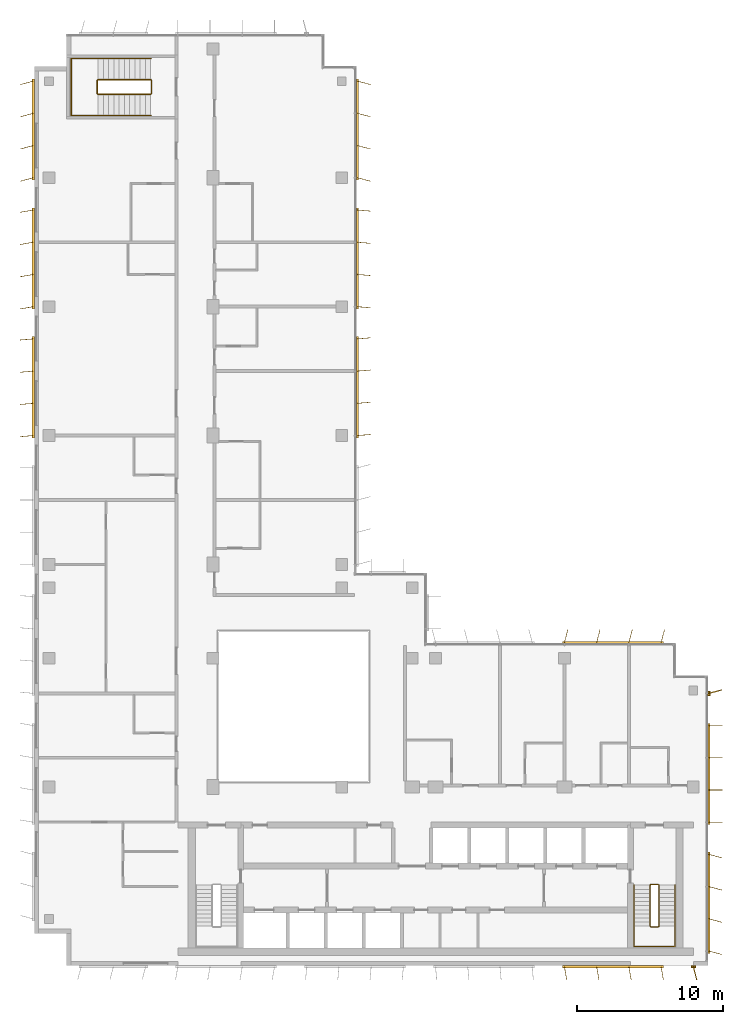
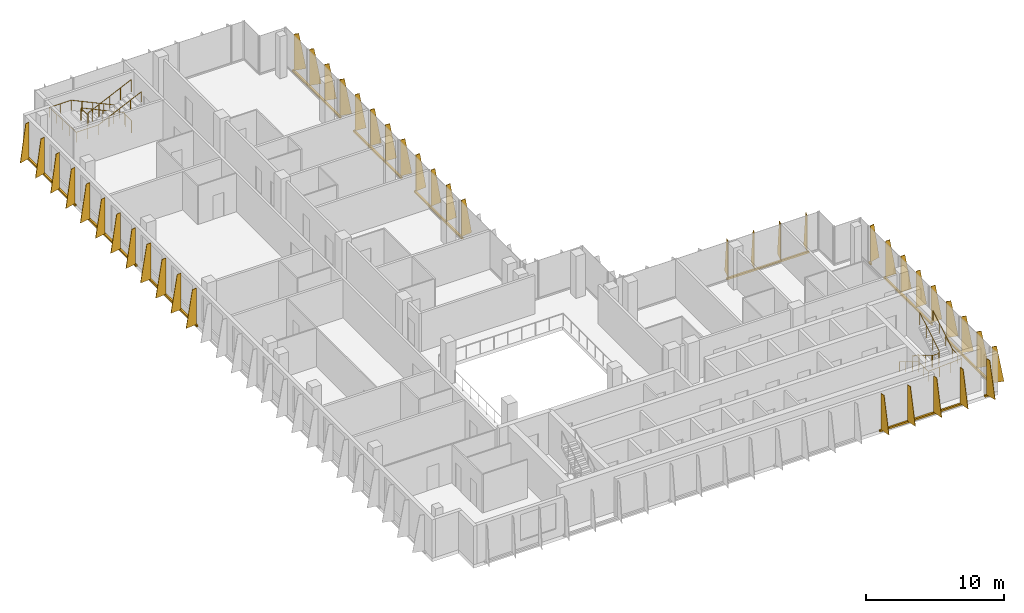
# One storey, part 14 of 15: 12 shading devices, 4 railings.
"""IFC4 building model written with IfcOpenShell, lengths in metres."""

from ifc_helpers import new_model, si_unit, direction, frame, origin, origin_2d, place, context, subcontext, project, spatial, polyline, rectangle, circle, outline, extrude, source, transform, mapped, material, layer, layer_set, type_object, element, save


model = new_model("IFC4")

# Units and contexts
model_context = context("Model", 3, precision=1e-05, world=origin(), true_north=direction((0.0, 1.0)))
body_context = subcontext(model_context, "Body", "Model", "MODEL_VIEW")
ifc_project = project(units=[si_unit("LENGTHUNIT", "METRE"), si_unit("AREAUNIT", "SQUARE_METRE"), si_unit("VOLUMEUNIT", "CUBIC_METRE"), si_unit("PLANEANGLEUNIT", "RADIAN"), si_unit("MASSUNIT", "GRAM", prefix="KILO")], contexts=[model_context])

# Site, building, storey
site_placement = place(None, origin())
site = spatial("IfcSite", under=ifc_project, at=site_placement, CompositionType="ELEMENT")
building_placement = place(site_placement, origin())
building = spatial("IfcBuilding", under=site, at=building_placement, Name="Kemantara Hotel Tower", CompositionType="ELEMENT")
storey_placement = place(building_placement, frame((0.0, 0.0, 275.89990234375)))
storey = spatial("IfcBuildingStorey", under=building, at=storey_placement, Name="L69", CompositionType="ELEMENT", Elevation=275.89990234375)

# Railings
ifc_material_1 = material(Name="Stainless steel balustrade", Category="steel")
railing_type_1 = type_object("IfcRailingType", Name="Stair guard 1100 mm", PredefinedType="GUARDRAIL", material=ifc_material_1)
railing_1_placement = place(storey_placement, frame((42.64990234375, 5.5, 3.7001953125)))
element("IfcRailing", 1, at=railing_1_placement, inside=storey, type_object=railing_type_1, Name="L69 ST2 stair guard 1", PredefinedType="GUARDRAIL", context=body_context, shape_type="SweptSolid", body=[
    extrude(circle(Radius=0.02392578125, at=origin_2d()), frame((0.0, 0.0, 1.076171875), z_axis=(0.0, -0.857242210791, -0.514913383045), x_axis=(1.0, 0.0, 0.0)), (0.0, 0.0, 1.0), 3.266357421875),
    extrude(circle(Radius=0.02392578125, at=origin_2d()), frame((0.0, -2.800048828125, -0.60595703125), z_axis=(-0.273006030465, -0.27434429532, -0.922064485248), x_axis=(0.708833529934, -0.705375805398, 0.0)), (0.0, 0.0, 1.0), 0.182373046875),
    extrude(circle(Radius=0.02392578125, at=origin_2d()), frame((-0.0498046875, -2.85009765625, -0.77392578125), z_axis=(-1.0, 0.0, 0.0), x_axis=(0.0, -1.0, 0.0)), (0.0, 0.0, 1.0), 0.5),
    extrude(circle(Radius=0.02392578125, at=origin_2d()), frame((-0.5498046875, -2.85009765625, -0.77392578125), z_axis=(-0.707106781187, 0.707106781187, 0.0), x_axis=(-0.707106781187, -0.707106781187, 0.0)), (0.0, 0.0, 1.0), 0.07080078125),
    extrude(circle(Radius=0.02392578125, at=origin_2d()), frame((-0.599853515625, -2.800048828125, -0.77392578125), z_axis=(0.0, 0.857242210791, -0.514913383045), x_axis=(-1.0, 0.0, 0.0)), (0.0, 0.0, 1.0), 3.266357421875),
    extrude(circle(Radius=0.02392578125, at=origin_2d()), frame((-0.599853515625, 0.0, -2.4560546875), z_axis=(0.274243871929, 0.274243871929, -0.92172696468), x_axis=(-0.707106781187, 0.707106781187, 0.0)), (0.0, 0.0, 1.0), 0.1826171875),
    extrude(circle(Radius=0.02392578125, at=origin_2d()), frame((-0.5498046875, 0.050048828125, -2.6240234375), z_axis=(1.0, 0.0, 0.0), x_axis=(0.0, 1.0, 0.0)), (0.0, 0.0, 1.0), 0.5),
    extrude(circle(Radius=0.02099609375, at=origin_2d()), origin(), (0.0, 0.0, 1.0), 1.052001953125),
    extrude(circle(Radius=0.02099609375, at=origin_2d()), frame((0.0, -0.933349609375, -0.560546875)), (0.0, 0.0, 1.0), 1.052001953125),
    extrude(circle(Radius=0.02099609375, at=origin_2d()), frame((0.0, -1.86669921875, -1.121337890625)), (0.0, 0.0, 1.0), 1.052001953125),
    extrude(circle(Radius=0.02099609375, at=origin_2d()), frame((0.0, -2.800048828125, -1.681884765625)), (0.0, 0.0, 1.0), 1.052001953125),
    extrude(circle(Radius=0.02099609375, at=origin_2d()), frame((-0.0498046875, -2.85009765625, -1.85009765625)), (0.0, 0.0, 1.0), 1.052001953125),
    extrude(circle(Radius=0.02099609375, at=origin_2d()), frame((-0.5498046875, -2.85009765625, -1.85009765625)), (0.0, 0.0, 1.0), 1.052001953125),
    extrude(circle(Radius=0.02099609375, at=origin_2d()), frame((-0.599853515625, -2.800048828125, -1.85009765625)), (0.0, 0.0, 1.0), 1.052001953125),
    extrude(circle(Radius=0.02099609375, at=origin_2d()), frame((-0.599853515625, -1.86669921875, -2.41064453125)), (0.0, 0.0, 1.0), 1.052001953125),
    extrude(circle(Radius=0.02099609375, at=origin_2d()), frame((-0.599853515625, -0.933349609375, -2.971435546875)), (0.0, 0.0, 1.0), 1.052001953125),
    extrude(circle(Radius=0.02099609375, at=origin_2d()), frame((-0.599853515625, 0.0, -3.531982421875)), (0.0, 0.0, 1.0), 1.052001953125),
    extrude(circle(Radius=0.02099609375, at=origin_2d()), frame((-0.5498046875, 0.050048828125, -3.7001953125)), (0.0, 0.0, 1.0), 1.052001953125),
    extrude(circle(Radius=0.02099609375, at=origin_2d()), frame((-0.0498046875, 0.050048828125, -3.7001953125)), (0.0, 0.0, 1.0), 1.052001953125),
])
railing_2_placement = place(storey_placement, frame((7.949951171875, 59.5, 3.7001953125)))
element("IfcRailing", 2, at=railing_2_placement, inside=storey, type_object=railing_type_1, Name="L69 ST4 stair guard 1", PredefinedType="GUARDRAIL", context=body_context, shape_type="SweptSolid", body=[
    extrude(circle(Radius=0.02392578125, at=origin_2d()), frame((0.0, 0.0, 1.076171875), z_axis=(-0.905994681025, 0.0, -0.423289071386), x_axis=(0.0, -1.0, 0.0)), (0.0, 0.0, 1.0), 3.973388671875),
    extrude(circle(Radius=0.02392578125, at=origin_2d()), frame((-3.599853515625, 0.0, -0.60595703125), z_axis=(-0.274243871929, 0.274243871929, -0.92172696468), x_axis=(-0.707106781187, -0.707106781187, 0.0)), (0.0, 0.0, 1.0), 0.1826171875),
    extrude(circle(Radius=0.02392578125, at=origin_2d()), frame((-3.64990234375, 0.050048828125, -0.77392578125), z_axis=(0.0, 1.0, 0.0), x_axis=(-1.0, 0.0, 0.0)), (0.0, 0.0, 1.0), 0.89990234375),
    extrude(circle(Radius=0.02392578125, at=origin_2d()), frame((-3.64990234375, 0.949951171875, -0.77392578125), z_axis=(0.707106781187, 0.707106781187, 0.0), x_axis=(-0.707106781187, 0.707106781187, 0.0)), (0.0, 0.0, 1.0), 0.07080078125),
    extrude(circle(Radius=0.02392578125, at=origin_2d()), frame((-3.599853515625, 1.0, -0.77392578125), z_axis=(0.905994681025, 0.0, -0.423289071386), x_axis=(0.0, 1.0, 0.0)), (0.0, 0.0, 1.0), 3.973388671875),
    extrude(circle(Radius=0.02392578125, at=origin_2d()), frame((0.0, 1.0, -2.4560546875), z_axis=(0.274243871929, -0.274243871929, -0.92172696468), x_axis=(0.707106781187, 0.707106781187, 0.0)), (0.0, 0.0, 1.0), 0.1826171875),
    extrude(circle(Radius=0.02392578125, at=origin_2d()), frame((0.050048828125, 0.949951171875, -2.6240234375), z_axis=(0.0, -1.0, 0.0), x_axis=(1.0, 0.0, 0.0)), (0.0, 0.0, 1.0), 0.89990234375),
    extrude(circle(Radius=0.02099609375, at=origin_2d()), origin(), (0.0, 0.0, 1.0), 1.052001953125),
    extrude(circle(Radius=0.02099609375, at=origin_2d()), frame((-0.89990234375, 0.0, -0.42041015625)), (0.0, 0.0, 1.0), 1.052001953125),
    extrude(circle(Radius=0.02099609375, at=origin_2d()), frame((-1.7998046875, 0.0, -0.8408203125)), (0.0, 0.0, 1.0), 1.052001953125),
    extrude(circle(Radius=0.02099609375, at=origin_2d()), frame((-2.699951171875, 0.0, -1.261474609375)), (0.0, 0.0, 1.0), 1.052001953125),
    extrude(circle(Radius=0.02099609375, at=origin_2d()), frame((-3.599853515625, 0.0, -1.681884765625)), (0.0, 0.0, 1.0), 1.052001953125),
    extrude(circle(Radius=0.02099609375, at=origin_2d()), frame((-3.64990234375, 0.050048828125, -1.85009765625)), (0.0, 0.0, 1.0), 1.052001953125),
    extrude(circle(Radius=0.02099609375, at=origin_2d()), frame((-3.64990234375, 0.949951171875, -1.85009765625)), (0.0, 0.0, 1.0), 1.052001953125),
    extrude(circle(Radius=0.02099609375, at=origin_2d()), frame((-3.599853515625, 1.0, -1.85009765625)), (0.0, 0.0, 1.0), 1.052001953125),
    extrude(circle(Radius=0.02099609375, at=origin_2d()), frame((-2.699951171875, 1.0, -2.2705078125)), (0.0, 0.0, 1.0), 1.052001953125),
    extrude(circle(Radius=0.02099609375, at=origin_2d()), frame((-1.7998046875, 1.0, -2.69091796875)), (0.0, 0.0, 1.0), 1.052001953125),
    extrude(circle(Radius=0.02099609375, at=origin_2d()), frame((-0.89990234375, 1.0, -3.111572265625)), (0.0, 0.0, 1.0), 1.052001953125),
    extrude(circle(Radius=0.02099609375, at=origin_2d()), frame((0.0, 1.0, -3.531982421875)), (0.0, 0.0, 1.0), 1.052001953125),
    extrude(circle(Radius=0.02099609375, at=origin_2d()), frame((0.050048828125, 0.949951171875, -3.7001953125)), (0.0, 0.0, 1.0), 1.052001953125),
    extrude(circle(Radius=0.02099609375, at=origin_2d()), frame((0.050048828125, 0.050048828125, -3.7001953125)), (0.0, 0.0, 1.0), 1.052001953125),
])
railing_type_2 = type_object("IfcRailingType", Name="Stair handrail 900 mm", PredefinedType="HANDRAIL", material=ifc_material_1)
railing_3_placement = place(storey_placement, frame((40.949951171875, 5.5, 0.168212890625)))
element("IfcRailing", 3, at=railing_3_placement, inside=storey, type_object=railing_type_2, Name="L69 ST2 stair handrail 1", PredefinedType="HANDRAIL", context=body_context, shape_type="SweptSolid", body=[
    extrude(circle(Radius=0.02392578125, at=origin_2d()), frame((0.0, 0.0, 0.8759765625), z_axis=(0.0, -0.857242210791, 0.514913383045), x_axis=(1.0, 0.0, 0.0)), (0.0, 0.0, 1.0), 3.266357421875),
    extrude(circle(Radius=0.02392578125, at=origin_2d()), frame((0.0, -2.800048828125, 2.5576171875), z_axis=(0.0, -1.0, 0.0), x_axis=(1.0, 0.0, 0.0)), (0.0, 0.0, 1.0), 1.3798828125),
    extrude(circle(Radius=0.02392578125, at=origin_2d()), frame((0.0, -4.179931640625, 2.5576171875), z_axis=(0.998200367801, 0.0, 0.059966871865), x_axis=(0.0, 1.0, 0.0)), (0.0, 0.0, 1.0), 2.80517578125),
    extrude(circle(Radius=0.02392578125, at=origin_2d()), frame((2.800048828125, -4.179931640625, 2.72607421875), z_axis=(0.0, 1.0, 0.0), x_axis=(-1.0, 0.0, 0.0)), (0.0, 0.0, 1.0), 1.3798828125),
    extrude(circle(Radius=0.02392578125, at=origin_2d()), frame((2.800048828125, -2.800048828125, 2.72607421875), z_axis=(0.0, 0.857242210791, 0.514913383045), x_axis=(-1.0, 0.0, 0.0)), (0.0, 0.0, 1.0), 3.266357421875),
    extrude(circle(Radius=0.02099609375, at=origin_2d()), origin(), (0.0, 0.0, 1.0), 0.851806640625),
    extrude(circle(Radius=0.02099609375, at=origin_2d()), frame((0.0, -0.933349609375, 0.560546875)), (0.0, 0.0, 1.0), 0.851806640625),
    extrude(circle(Radius=0.02099609375, at=origin_2d()), frame((0.0, -1.86669921875, 1.121337890625)), (0.0, 0.0, 1.0), 0.851806640625),
    extrude(circle(Radius=0.02099609375, at=origin_2d()), frame((0.0, -2.800048828125, 1.681884765625)), (0.0, 0.0, 1.0), 0.851806640625),
    extrude(circle(Radius=0.02099609375, at=origin_2d()), frame((0.0, -3.489990234375, 1.681884765625)), (0.0, 0.0, 1.0), 0.851806640625),
    extrude(circle(Radius=0.02099609375, at=origin_2d()), frame((0.0, -4.179931640625, 1.681884765625)), (0.0, 0.0, 1.0), 0.851806640625),
    extrude(circle(Radius=0.02099609375, at=origin_2d()), frame((0.933349609375, -4.179931640625, 1.738037109375)), (0.0, 0.0, 1.0), 0.851806640625),
    extrude(circle(Radius=0.02099609375, at=origin_2d()), frame((1.86669921875, -4.179931640625, 1.7939453125)), (0.0, 0.0, 1.0), 0.851806640625),
    extrude(circle(Radius=0.02099609375, at=origin_2d()), frame((2.800048828125, -4.179931640625, 1.85009765625)), (0.0, 0.0, 1.0), 0.851806640625),
    extrude(circle(Radius=0.02099609375, at=origin_2d()), frame((2.800048828125, -3.489990234375, 1.85009765625)), (0.0, 0.0, 1.0), 0.851806640625),
    extrude(circle(Radius=0.02099609375, at=origin_2d()), frame((2.800048828125, -2.800048828125, 1.85009765625)), (0.0, 0.0, 1.0), 0.851806640625),
    extrude(circle(Radius=0.02099609375, at=origin_2d()), frame((2.800048828125, -1.86669921875, 2.41064453125)), (0.0, 0.0, 1.0), 0.851806640625),
    extrude(circle(Radius=0.02099609375, at=origin_2d()), frame((2.800048828125, -0.933349609375, 2.971435546875)), (0.0, 0.0, 1.0), 0.851806640625),
    extrude(circle(Radius=0.02099609375, at=origin_2d()), frame((2.800048828125, 0.0, 3.531982421875)), (0.0, 0.0, 1.0), 0.851806640625),
])
railing_4_placement = place(storey_placement, frame((7.949951171875, 61.949951171875, 0.168212890625)))
element("IfcRailing", 4, at=railing_4_placement, inside=storey, type_object=railing_type_2, Name="L69 ST4 stair handrail 1", PredefinedType="HANDRAIL", context=body_context, shape_type="SweptSolid", body=[
    extrude(circle(Radius=0.02392578125, at=origin_2d()), frame((0.0, 0.0, 0.8759765625), z_axis=(-0.905994681025, 0.0, 0.423289071386), x_axis=(0.0, -1.0, 0.0)), (0.0, 0.0, 1.0), 3.973388671875),
    extrude(circle(Radius=0.02392578125, at=origin_2d()), frame((-3.599853515625, 0.0, 2.5576171875), z_axis=(-1.0, 0.0, 0.0), x_axis=(0.0, -1.0, 0.0)), (0.0, 0.0, 1.0), 1.830078125),
    extrude(circle(Radius=0.02392578125, at=origin_2d()), frame((-5.429931640625, 0.0, 2.5576171875), z_axis=(0.0, -0.999071085748, 0.043092523981), x_axis=(1.0, 0.0, 0.0)), (0.0, 0.0, 1.0), 3.903564453125),
    extrude(circle(Radius=0.02392578125, at=origin_2d()), frame((-5.429931640625, -3.89990234375, 2.72607421875), z_axis=(1.0, 0.0, 0.0), x_axis=(0.0, 1.0, 0.0)), (0.0, 0.0, 1.0), 1.830078125),
    extrude(circle(Radius=0.02392578125, at=origin_2d()), frame((-3.599853515625, -3.89990234375, 2.72607421875), z_axis=(0.905994681025, 0.0, 0.423289071386), x_axis=(0.0, 1.0, 0.0)), (0.0, 0.0, 1.0), 3.973388671875),
    extrude(circle(Radius=0.02099609375, at=origin_2d()), origin(), (0.0, 0.0, 1.0), 0.851806640625),
    extrude(circle(Radius=0.02099609375, at=origin_2d()), frame((-0.89990234375, 0.0, 0.42041015625)), (0.0, 0.0, 1.0), 0.851806640625),
    extrude(circle(Radius=0.02099609375, at=origin_2d()), frame((-1.7998046875, 0.0, 0.8408203125)), (0.0, 0.0, 1.0), 0.851806640625),
    extrude(circle(Radius=0.02099609375, at=origin_2d()), frame((-2.699951171875, 0.0, 1.261474609375)), (0.0, 0.0, 1.0), 0.851806640625),
    extrude(circle(Radius=0.02099609375, at=origin_2d()), frame((-3.599853515625, 0.0, 1.681884765625)), (0.0, 0.0, 1.0), 0.851806640625),
    extrude(circle(Radius=0.02099609375, at=origin_2d()), frame((-4.514892578125, 0.0, 1.681884765625)), (0.0, 0.0, 1.0), 0.851806640625),
    extrude(circle(Radius=0.02099609375, at=origin_2d()), frame((-5.429931640625, 0.0, 1.681884765625)), (0.0, 0.0, 1.0), 0.851806640625),
    extrude(circle(Radius=0.02099609375, at=origin_2d()), frame((-5.429931640625, -0.97509765625, 1.723876953125)), (0.0, 0.0, 1.0), 0.851806640625),
    extrude(circle(Radius=0.02099609375, at=origin_2d()), frame((-5.429931640625, -1.949951171875, 1.76611328125)), (0.0, 0.0, 1.0), 0.851806640625),
    extrude(circle(Radius=0.02099609375, at=origin_2d()), frame((-5.429931640625, -2.9248046875, 1.80810546875)), (0.0, 0.0, 1.0), 0.851806640625),
    extrude(circle(Radius=0.02099609375, at=origin_2d()), frame((-5.429931640625, -3.89990234375, 1.85009765625)), (0.0, 0.0, 1.0), 0.851806640625),
    extrude(circle(Radius=0.02099609375, at=origin_2d()), frame((-4.514892578125, -3.89990234375, 1.85009765625)), (0.0, 0.0, 1.0), 0.851806640625),
    extrude(circle(Radius=0.02099609375, at=origin_2d()), frame((-3.599853515625, -3.89990234375, 1.85009765625)), (0.0, 0.0, 1.0), 0.851806640625),
    extrude(circle(Radius=0.02099609375, at=origin_2d()), frame((-2.699951171875, -3.89990234375, 2.2705078125)), (0.0, 0.0, 1.0), 0.851806640625),
    extrude(circle(Radius=0.02099609375, at=origin_2d()), frame((-1.7998046875, -3.89990234375, 2.69091796875)), (0.0, 0.0, 1.0), 0.851806640625),
    extrude(circle(Radius=0.02099609375, at=origin_2d()), frame((-0.89990234375, -3.89990234375, 3.111572265625)), (0.0, 0.0, 1.0), 0.851806640625),
    extrude(circle(Radius=0.02099609375, at=origin_2d()), frame((0.0, -3.89990234375, 3.531982421875)), (0.0, 0.0, 1.0), 0.851806640625),
])

# Shading devices
ifc_material_2 = material(Name="Perforated aluminium plate 4 mm bronze anodised", Category="aluminium")
ifc_layer_1 = layer(ifc_material_2, 0.0400390625)
ifc_layer_set_1 = layer_set([ifc_layer_1], Name="Perforated aluminium plate 4 mm bronze anodised")
shading_device_type_1 = type_object("IfcShadingDeviceType", Name="SCREEN FIN CASSETTE, 4 BLADES AT -5.0 DEG, 3200 HIGH", PredefinedType="USERDEFINED", material=ifc_layer_set_1)
shared_shape_1 = source(origin(), body_context, "Body", "SweptSolid", [
    extrude(rectangle(XDim=6.89990234375, YDim=0.14990234375, at=origin_2d()), frame((3.300048828125, -0.074951171875, -0.14990234375), z_axis=(0.0, 0.0, 1.0), x_axis=(1.0, 0.0, 0.0)), (0.0, 0.0, 1.0), 0.14990234375),
    extrude(outline(polyline([(0.0, 0.0), (0.89990234375, 0.0), (0.35009765625, 3.199951171875), (0.0, 3.199951171875), (0.0, 0.0)])), frame((0.02001953125, -0.07666015625, 0.0), z_axis=(-0.996376129781, 0.085056498884, 0.0), x_axis=(-0.085056498884, -0.996376129781, 0.0)), (0.0, 0.0, 1.0), 0.040283203125),
    extrude(outline(polyline([(0.0, 0.0), (0.89990234375, 0.0), (0.35009765625, 3.199951171875), (0.0, 3.199951171875), (0.0, 0.0)])), frame((2.219970703125, -0.07666015625, 0.0), z_axis=(-0.996331773833, 0.085574508182, 0.0), x_axis=(-0.085574508182, -0.996331773833, 0.0)), (0.0, 0.0, 1.0), 0.0400390625),
    extrude(outline(polyline([(0.0, 0.0), (0.89990234375, 0.0), (0.35009765625, 3.199951171875), (0.0, 3.199951171875), (0.0, 0.0)])), frame((4.419921875, -0.07666015625, 0.0), z_axis=(-0.996331773833, 0.085574508182, 0.0), x_axis=(-0.085574508182, -0.996331773833, 0.0)), (0.0, 0.0, 1.0), 0.0400390625),
    extrude(outline(polyline([(0.0, 0.0), (0.89990234375, 0.0), (0.35009765625, 3.199951171875), (0.0, 3.199951171875), (0.0, 0.0)])), frame((6.619873046875, -0.07666015625, 0.0), z_axis=(-0.996331773833, 0.085574508182, 0.0), x_axis=(-0.085574508182, -0.996331773833, 0.0)), (0.0, 0.0, 1.0), 0.0400390625),
])
shading_device_1_placement = place(storey_placement, frame((22.0, 45.0, 0.10009765625), z_axis=(0.0, 0.0, 1.0), x_axis=(0.0, 1.0, 0.0)))
element("IfcShadingDevice", 5, at=shading_device_1_placement, inside=storey, type_object=shading_device_type_1, Name="SCREEN FIN CASSETTE L69 T4-R15-3", ObjectType="SCREEN FIN", PredefinedType="USERDEFINED", context=body_context, shape_type="MappedRepresentation", body=[
    mapped(shared_shape_1, transform((0.0, 0.0, 0.0))),
])
ifc_layer_2 = layer(ifc_material_2, 0.0400390625)
ifc_layer_set_2 = layer_set([ifc_layer_2], Name="Perforated aluminium plate 4 mm bronze anodised")
shading_device_type_2 = type_object("IfcShadingDeviceType", Name="SCREEN FIN CASSETTE, 4 BLADES AT +0.0 DEG, 3200 HIGH", PredefinedType="USERDEFINED", material=ifc_layer_set_2)
shared_shape_2 = source(origin(), body_context, "Body", "SweptSolid", [
    extrude(rectangle(XDim=6.89990234375, YDim=0.14990234375, at=origin_2d()), frame((3.300048828125, -0.074951171875, -0.14990234375), z_axis=(0.0, 0.0, 1.0), x_axis=(1.0, 0.0, 0.0)), (0.0, 0.0, 1.0), 0.14990234375),
    extrude(outline(polyline([(0.0, 0.0), (0.89990234375, 0.0), (0.35009765625, 3.199951171875), (0.0, 3.199951171875), (0.0, 0.0)])), frame((0.02001953125, -0.074951171875, 0.0), z_axis=(-1.0, 0.0, 0.0), x_axis=(0.0, -1.0, 0.0)), (0.0, 0.0, 1.0), 0.0400390625),
    extrude(outline(polyline([(0.0, 0.0), (0.89990234375, 0.0), (0.35009765625, 3.199951171875), (0.0, 3.199951171875), (0.0, 0.0)])), frame((2.219970703125, -0.074951171875, 0.0), z_axis=(-1.0, 0.0, 0.0), x_axis=(0.0, -1.0, 0.0)), (0.0, 0.0, 1.0), 0.0400390625),
    extrude(outline(polyline([(0.0, 0.0), (0.89990234375, 0.0), (0.35009765625, 3.199951171875), (0.0, 3.199951171875), (0.0, 0.0)])), frame((4.419921875, -0.074951171875, 0.0), z_axis=(-1.0, 0.0, 0.0), x_axis=(0.0, -1.0, 0.0)), (0.0, 0.0, 1.0), 0.0400390625),
    extrude(outline(polyline([(0.0, 0.0), (0.89990234375, 0.0), (0.35009765625, 3.199951171875), (0.0, 3.199951171875), (0.0, 0.0)])), frame((6.6201171875, -0.074951171875, 0.0), z_axis=(-1.0, 0.0, 0.0), x_axis=(0.0, -1.0, 0.0)), (0.0, 0.0, 1.0), 0.0400390625),
])
shading_device_2_placement = place(storey_placement, frame((46.0, 9.800048828125, 0.10009765625), z_axis=(0.0, 0.0, 1.0), x_axis=(0.0, 1.0, 0.0)))
element("IfcShadingDevice", 6, at=shading_device_2_placement, inside=storey, type_object=shading_device_type_2, Name="SCREEN FIN CASSETTE L69 T4-R09-2", ObjectType="SCREEN FIN", PredefinedType="USERDEFINED", context=body_context, shape_type="MappedRepresentation", body=[
    mapped(shared_shape_2, transform((0.0, 0.0, 0.0))),
])
ifc_layer_3 = layer(ifc_material_2, 0.0400390625)
ifc_layer_set_3 = layer_set([ifc_layer_3], Name="Perforated aluminium plate 4 mm bronze anodised")
shading_device_type_3 = type_object("IfcShadingDeviceType", Name="SCREEN FIN CASSETTE, 4 BLADES AT +5.0 DEG, 3200 HIGH", PredefinedType="USERDEFINED", material=ifc_layer_set_3)
shared_shape_3 = source(origin(), body_context, "Body", "SweptSolid", [
    extrude(rectangle(XDim=6.89990234375, YDim=0.14990234375, at=origin_2d()), frame((3.300048828125, -0.074951171875, -0.14990234375), z_axis=(0.0, 0.0, 1.0), x_axis=(1.0, 0.0, 0.0)), (0.0, 0.0, 1.0), 0.14990234375),
    extrude(outline(polyline([(0.0, 0.0), (0.89990234375, 0.0), (0.35009765625, 3.199951171875), (0.0, 3.199951171875), (0.0, 0.0)])), frame((0.02001953125, -0.0732421875, 0.0), z_axis=(-0.996376129781, -0.085056498884, 0.0), x_axis=(0.085056498884, -0.996376129781, 0.0)), (0.0, 0.0, 1.0), 0.040283203125),
    extrude(outline(polyline([(0.0, 0.0), (0.89990234375, 0.0), (0.35009765625, 3.199951171875), (0.0, 3.199951171875), (0.0, 0.0)])), frame((2.219970703125, -0.0732421875, 0.0), z_axis=(-0.996331773833, -0.085574508182, 0.0), x_axis=(0.085574508182, -0.996331773833, 0.0)), (0.0, 0.0, 1.0), 0.0400390625),
    extrude(outline(polyline([(0.0, 0.0), (0.89990234375, 0.0), (0.35009765625, 3.199951171875), (0.0, 3.199951171875), (0.0, 0.0)])), frame((4.419921875, -0.0732421875, 0.0), z_axis=(-0.996331773833, -0.085574508182, 0.0), x_axis=(0.085574508182, -0.996331773833, 0.0)), (0.0, 0.0, 1.0), 0.0400390625),
    extrude(outline(polyline([(0.0, 0.0), (0.89990234375, 0.0), (0.35009765625, 3.199951171875), (0.0, 3.199951171875), (0.0, 0.0)])), frame((6.619873046875, -0.0732421875, 0.0), z_axis=(-0.996331773833, -0.085574508182, 0.0), x_axis=(0.085574508182, -0.996331773833, 0.0)), (0.0, 0.0, 1.0), 0.0400390625),
])
for number, where, z_axis, x_axis, name in (
    (7, (0.0, 42.800048828125, 0.10009765625), (0.0, 0.0, 1.0), (0.0, -1.0, 0.0), "SCREEN FIN CASSETTE L69 T4-R05-3"),
    (8, (22.0, 36.199951171875, 0.10009765625), (0.0, 0.0, 1.0), (0.0, 1.0, 0.0), "SCREEN FIN CASSETTE L69 T4-R15-2"),
):
    element("IfcShadingDevice", number, at=place(storey_placement, frame(where, z_axis=z_axis, x_axis=x_axis)), inside=storey, type_object=shading_device_type_3, Name=name, ObjectType="SCREEN FIN", PredefinedType="USERDEFINED", context=body_context, shape_type="MappedRepresentation", body=[
        mapped(shared_shape_3, transform((0.0, 0.0, 0.0))),
    ])
ifc_layer_4 = layer(ifc_material_2, 0.0400390625)
ifc_layer_set_4 = layer_set([ifc_layer_4], Name="Perforated aluminium plate 4 mm bronze anodised")
shading_device_type_4 = type_object("IfcShadingDeviceType", Name="SCREEN FIN CASSETTE, 4 BLADES AT +10.0 DEG, 3200 HIGH", PredefinedType="USERDEFINED", material=ifc_layer_set_4)
shared_shape_4 = source(origin(), body_context, "Body", "SweptSolid", [
    extrude(rectangle(XDim=6.89990234375, YDim=0.14990234375, at=origin_2d()), frame((3.300048828125, -0.074951171875, -0.14990234375), z_axis=(0.0, 0.0, 1.0), x_axis=(1.0, 0.0, 0.0)), (0.0, 0.0, 1.0), 0.14990234375),
    extrude(outline(polyline([(0.0, 0.0), (0.89990234375, 0.0), (0.35009765625, 3.199951171875), (0.0, 3.199951171875), (0.0, 0.0)])), frame((0.019775390625, -0.071533203125, 0.0), z_axis=(-0.985389793052, -0.170314285219, 0.0), x_axis=(0.170314285219, -0.985389793052, 0.0)), (0.0, 0.0, 1.0), 0.0400390625),
    extrude(outline(polyline([(0.0, 0.0), (0.89990234375, 0.0), (0.35009765625, 3.199951171875), (0.0, 3.199951171875), (0.0, 0.0)])), frame((2.2197265625, -0.071533203125, 0.0), z_axis=(-0.98521175482, -0.171341174751, 0.0), x_axis=(0.171341174751, -0.98521175482, 0.0)), (0.0, 0.0, 1.0), 0.039794921875),
    extrude(outline(polyline([(0.0, 0.0), (0.89990234375, 0.0), (0.35009765625, 3.199951171875), (0.0, 3.199951171875), (0.0, 0.0)])), frame((4.419677734375, -0.071533203125, 0.0), z_axis=(-0.98521175482, -0.171341174751, 0.0), x_axis=(0.171341174751, -0.98521175482, 0.0)), (0.0, 0.0, 1.0), 0.039794921875),
    extrude(outline(polyline([(0.0, 0.0), (0.89990234375, 0.0), (0.35009765625, 3.199951171875), (0.0, 3.199951171875), (0.0, 0.0)])), frame((6.61962890625, -0.071533203125, 0.0), z_axis=(-0.98521175482, -0.171341174751, 0.0), x_axis=(0.171341174751, -0.98521175482, 0.0)), (0.0, 0.0, 1.0), 0.039794921875),
])
for number, where, z_axis, x_axis, name in (
    (9, (0.0, 51.60009765625, 0.10009765625), (0.0, 0.0, 1.0), (0.0, -1.0, 0.0), "SCREEN FIN CASSETTE L69 T4-R05-2"),
    (10, (36.199951171875, 0.0, 0.10009765625), (0.0, 0.0, 1.0), (1.0, 0.0, 0.0), "SCREEN FIN CASSETTE L69 T4-R08-5"),
):
    element("IfcShadingDevice", number, at=place(storey_placement, frame(where, z_axis=z_axis, x_axis=x_axis)), inside=storey, type_object=shading_device_type_4, Name=name, ObjectType="SCREEN FIN", PredefinedType="USERDEFINED", context=body_context, shape_type="MappedRepresentation", body=[
        mapped(shared_shape_4, transform((0.0, 0.0, 0.0))),
    ])
ifc_layer_5 = layer(ifc_material_2, 0.0400390625)
ifc_layer_set_5 = layer_set([ifc_layer_5], Name="Perforated aluminium plate 4 mm bronze anodised")
shading_device_type_5 = type_object("IfcShadingDeviceType", Name="SCREEN FIN CASSETTE, 4 BLADES AT +15.0 DEG, 3200 HIGH", PredefinedType="USERDEFINED", material=ifc_layer_set_5)
shared_shape_5 = source(origin(), body_context, "Body", "SweptSolid", [
    extrude(rectangle(XDim=6.89990234375, YDim=0.14990234375, at=origin_2d()), frame((3.300048828125, -0.074951171875, -0.14990234375), z_axis=(0.0, 0.0, 1.0), x_axis=(1.0, 0.0, 0.0)), (0.0, 0.0, 1.0), 0.14990234375),
    extrude(outline(polyline([(0.0, 0.0), (0.89990234375, 0.0), (0.35009765625, 3.199951171875), (0.0, 3.199951171875), (0.0, 0.0)])), frame((0.019287109375, -0.06982421875, 0.0), z_axis=(-0.966437683387, -0.256901156343, 0.0), x_axis=(0.256901156343, -0.966437683387, 0.0)), (0.0, 0.0, 1.0), 0.039794921875),
    extrude(outline(polyline([(0.0, 0.0), (0.89990234375, 0.0), (0.35009765625, 3.199951171875), (0.0, 3.199951171875), (0.0, 0.0)])), frame((2.21923828125, -0.06982421875, 0.0), z_axis=(-0.966437683387, -0.256901156343, 0.0), x_axis=(0.256901156343, -0.966437683387, 0.0)), (0.0, 0.0, 1.0), 0.039794921875),
    extrude(outline(polyline([(0.0, 0.0), (0.89990234375, 0.0), (0.35009765625, 3.199951171875), (0.0, 3.199951171875), (0.0, 0.0)])), frame((4.41943359375, -0.06982421875, 0.0), z_axis=(-0.966837822169, -0.255391122837, 0.0), x_axis=(0.255391122837, -0.966837822169, 0.0)), (0.0, 0.0, 1.0), 0.0400390625),
    extrude(outline(polyline([(0.0, 0.0), (0.89990234375, 0.0), (0.35009765625, 3.199951171875), (0.0, 3.199951171875), (0.0, 0.0)])), frame((6.619384765625, -0.06982421875, 0.0), z_axis=(-0.966837822169, -0.255391122837, 0.0), x_axis=(0.255391122837, -0.966837822169, 0.0)), (0.0, 0.0, 1.0), 0.0400390625),
])
shading_device_3_placement = place(storey_placement, frame((0.0, 60.39990234375, 0.10009765625), z_axis=(0.0, 0.0, 1.0), x_axis=(0.0, -1.0, 0.0)))
element("IfcShadingDevice", 11, at=shading_device_3_placement, inside=storey, type_object=shading_device_type_5, Name="SCREEN FIN CASSETTE L69 T4-R05-1", ObjectType="SCREEN FIN", PredefinedType="USERDEFINED", context=body_context, shape_type="MappedRepresentation", body=[
    mapped(shared_shape_5, transform((0.0, 0.0, 0.0))),
])
ifc_layer_6 = layer(ifc_material_2, 0.0400390625)
ifc_layer_set_6 = layer_set([ifc_layer_6], Name="Perforated aluminium plate 4 mm bronze anodised")
shading_device_type_6 = type_object("IfcShadingDeviceType", Name="SCREEN FIN CASSETTE, 4 BLADES AT -15.0 DEG, 3200 HIGH", PredefinedType="USERDEFINED", material=ifc_layer_set_6)
shared_shape_6 = source(origin(), body_context, "Body", "SweptSolid", [
    extrude(rectangle(XDim=6.89990234375, YDim=0.14990234375, at=origin_2d()), frame((3.300048828125, -0.074951171875, -0.14990234375), z_axis=(0.0, 0.0, 1.0), x_axis=(1.0, 0.0, 0.0)), (0.0, 0.0, 1.0), 0.14990234375),
    extrude(outline(polyline([(0.0, 0.0), (0.89990234375, 0.0), (0.35009765625, 3.199951171875), (0.0, 3.199951171875), (0.0, 0.0)])), frame((0.019287109375, -0.080078125, 0.0), z_axis=(-0.966437683387, 0.256901156343, 0.0), x_axis=(-0.256901156343, -0.966437683387, 0.0)), (0.0, 0.0, 1.0), 0.039794921875),
    extrude(outline(polyline([(0.0, 0.0), (0.89990234375, 0.0), (0.35009765625, 3.199951171875), (0.0, 3.199951171875), (0.0, 0.0)])), frame((2.21923828125, -0.080078125, 0.0), z_axis=(-0.966437683387, 0.256901156343, 0.0), x_axis=(-0.256901156343, -0.966437683387, 0.0)), (0.0, 0.0, 1.0), 0.039794921875),
    extrude(outline(polyline([(0.0, 0.0), (0.89990234375, 0.0), (0.35009765625, 3.199951171875), (0.0, 3.199951171875), (0.0, 0.0)])), frame((4.41943359375, -0.080078125, 0.0), z_axis=(-0.966837822169, 0.255391122837, 0.0), x_axis=(-0.255391122837, -0.966837822169, 0.0)), (0.0, 0.0, 1.0), 0.0400390625),
    extrude(outline(polyline([(0.0, 0.0), (0.89990234375, 0.0), (0.35009765625, 3.199951171875), (0.0, 3.199951171875), (0.0, 0.0)])), frame((6.619384765625, -0.080078125, 0.0), z_axis=(-0.966837822169, 0.255391122837, 0.0), x_axis=(-0.255391122837, -0.966837822169, 0.0)), (0.0, 0.0, 1.0), 0.0400390625),
])
for number, where, z_axis, x_axis, name in (
    (12, (46.0, 1.0, 0.10009765625), (0.0, 0.0, 1.0), (0.0, 1.0, 0.0), "SCREEN FIN CASSETTE L69 T4-R09-1"),
    (13, (42.800048828125, 22.0, 0.10009765625), (0.0, 0.0, 1.0), (-1.0, 0.0, 0.0), "SCREEN FIN CASSETTE L69 T4-R12-1"),
    (14, (22.0, 53.800048828125, 0.10009765625), (0.0, 0.0, 1.0), (0.0, 1.0, 0.0), "SCREEN FIN CASSETTE L69 T4-R15-4"),
):
    element("IfcShadingDevice", number, at=place(storey_placement, frame(where, z_axis=z_axis, x_axis=x_axis)), inside=storey, type_object=shading_device_type_6, Name=name, ObjectType="SCREEN FIN", PredefinedType="USERDEFINED", context=body_context, shape_type="MappedRepresentation", body=[
        mapped(shared_shape_6, transform((0.0, 0.0, 0.0))),
    ])
ifc_layer_7 = layer(ifc_material_2, 0.0400390625)
ifc_layer_set_7 = layer_set([ifc_layer_7], Name="Perforated aluminium plate 4 mm bronze anodised")
shading_device_type_7 = type_object("IfcShadingDeviceType", Name="SCREEN FIN CASSETTE, 1 BLADE AT +15.0 DEG, 3200 HIGH", PredefinedType="USERDEFINED", material=ifc_layer_set_7)
shared_shape_7 = source(origin(), body_context, "Body", "SweptSolid", [
    extrude(rectangle(XDim=0.300048828125, YDim=0.14990234375, at=origin_2d()), frame((0.0, -0.074951171875, -0.14990234375), z_axis=(0.0, 0.0, 1.0), x_axis=(1.0, 0.0, 0.0)), (0.0, 0.0, 1.0), 0.14990234375),
    extrude(outline(polyline([(0.0, 0.0), (0.89990234375, 0.0), (0.35009765625, 3.199951171875), (0.0, 3.199951171875), (0.0, 0.0)])), frame((0.019287109375, -0.06982421875, 0.0), z_axis=(-0.966437683387, -0.256901156343, 0.0), x_axis=(0.256901156343, -0.966437683387, 0.0)), (0.0, 0.0, 1.0), 0.039794921875),
])
for number, where, z_axis, x_axis, name in (
    (15, (45.0, 0.0, 0.10009765625), (0.0, 0.0, 1.0), (1.0, 0.0, 0.0), "SCREEN FIN CASSETTE L69 T4-R08-6"),
    (16, (46.0, 18.60009765625, 0.10009765625), (0.0, 0.0, 1.0), (0.0, 1.0, 0.0), "SCREEN FIN CASSETTE L69 T4-R09-3"),
):
    element("IfcShadingDevice", number, at=place(storey_placement, frame(where, z_axis=z_axis, x_axis=x_axis)), inside=storey, type_object=shading_device_type_7, Name=name, ObjectType="SCREEN FIN", PredefinedType="USERDEFINED", context=body_context, shape_type="MappedRepresentation", body=[
        mapped(shared_shape_7, transform((0.0, 0.0, 0.0))),
    ])

save(model, "model.ifc")
